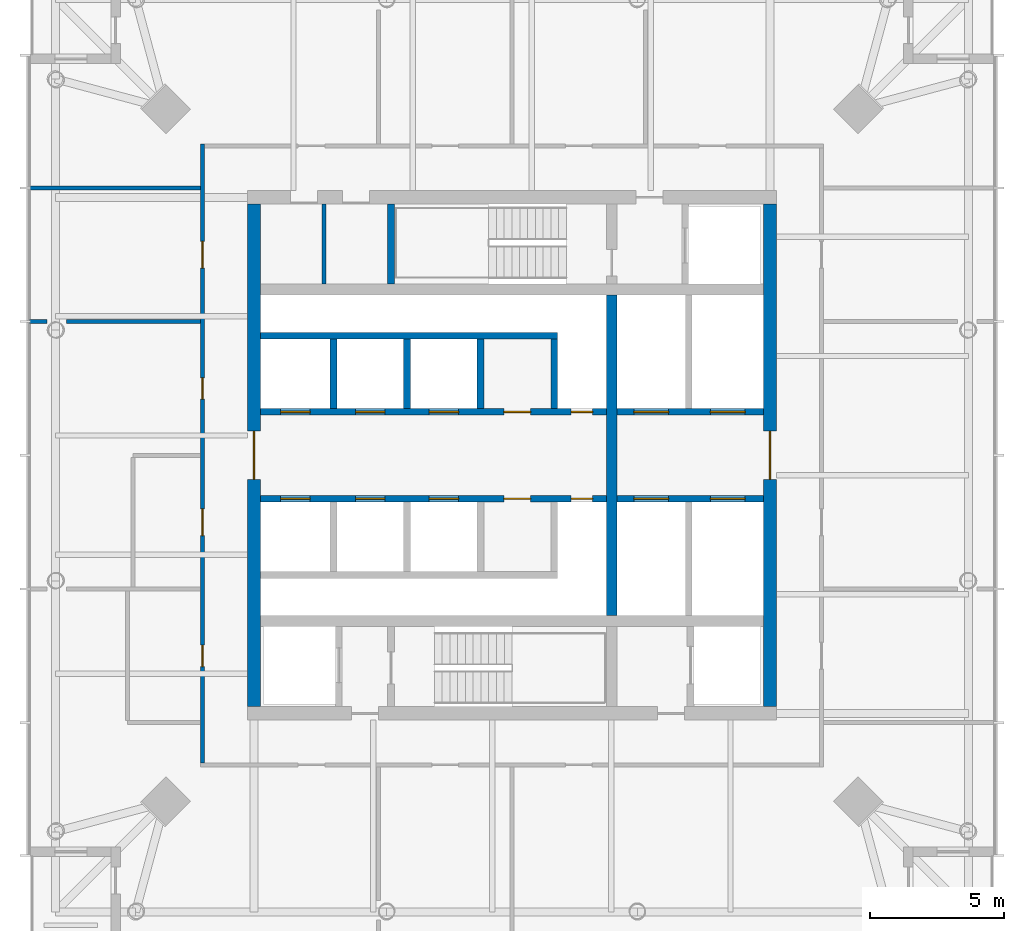
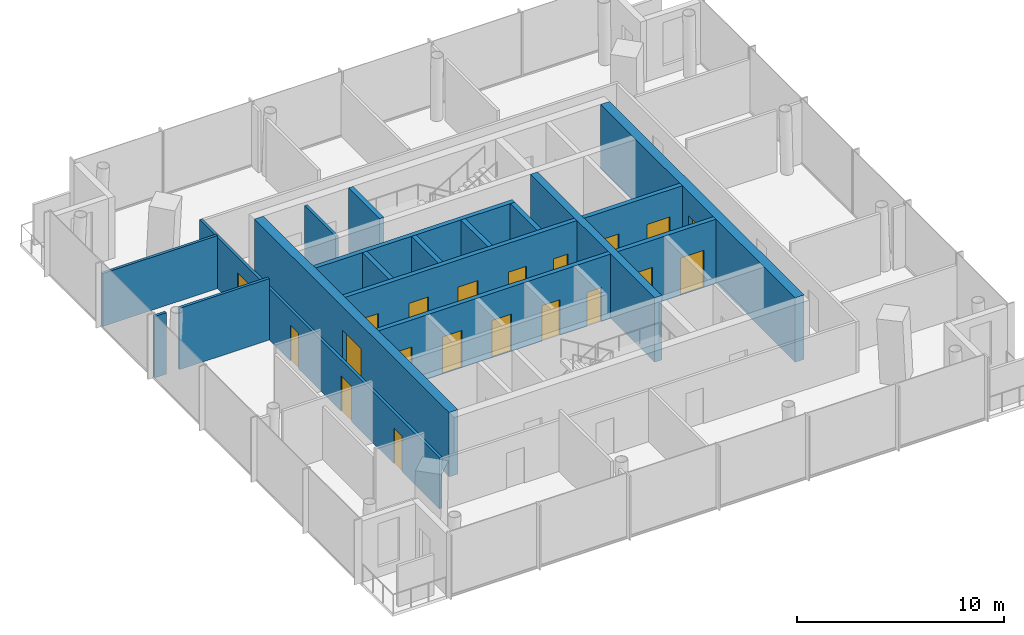
# One storey, part 4 of 7: 20 doors, 18 walls, 20 openings.
"""IFC4 building model written with IfcOpenShell, lengths in metres."""

from ifc_helpers import new_model, si_unit, direction, frame, frame_2d, origin, place, context, subcontext, project, spatial, rectangle, extrude, material, layer, layer_set, type_object, element, fill, save


model = new_model("IFC4")

# Units and contexts
model_context = context("Model", 3, precision=1e-05, world=origin(), true_north=direction((0.0, 1.0)))
body_context = subcontext(model_context, "Body", "Model", "MODEL_VIEW")
ifc_project = project(units=[si_unit("LENGTHUNIT", "METRE"), si_unit("AREAUNIT", "SQUARE_METRE"), si_unit("VOLUMEUNIT", "CUBIC_METRE"), si_unit("PLANEANGLEUNIT", "RADIAN"), si_unit("MASSUNIT", "GRAM", prefix="KILO")], contexts=[model_context])

# Site, building, storey
site_placement = place(None, origin())
site = spatial("IfcSite", under=ifc_project, at=site_placement, CompositionType="ELEMENT")
building_placement = place(site_placement, origin())
building = spatial("IfcBuilding", under=site, at=building_placement, Name="Ostroluk Exchange", CompositionType="ELEMENT")
storey_placement = place(building_placement, frame((0.0, 0.0, 237.60009765625)))
storey = spatial("IfcBuildingStorey", under=building, at=storey_placement, Name="L61", CompositionType="ELEMENT", Elevation=237.60009765625)

# Walls
ifc_material_1 = material(Name="Concrete blockwork", Category="masonry")
ifc_layer_1 = layer(ifc_material_1, 0.14990234375)
ifc_layer_set_1 = layer_set([ifc_layer_1], Name="Blockwork plant room wall 150")
wall_type_1 = type_object("IfcWallType", Name="Blockwork plant room wall 150", PredefinedType="SOLIDWALL", material=ifc_layer_set_1)
wall_1_placement = place(storey_placement, frame((37.97509765625, 52.39990234375, 0.0), z_axis=(0.0, 0.0, 1.0), x_axis=(0.0, 1.0, 0.0)))
element("IfcWall", 1, at=wall_1_placement, inside=storey, type_object=wall_type_1, Name="Core room wall", PredefinedType="SOLIDWALL", context=body_context, shape_type="SweptSolid", body=[
    extrude(rectangle(XDim=3.0, YDim=0.14990234375, at=frame_2d((1.5, 0.0))), origin(), (0.0, 0.0, 1.0), 3.619873046875),
])
ifc_material_2 = material(Name="Concrete C50/60", Category="concrete")
ifc_layer_2 = layer(ifc_material_2, 0.39990234375)
ifc_layer_set_2 = layer_set([ifc_layer_2], Name="Core cross wall 400 C50/60")
wall_type_2 = type_object("IfcWallType", Name="Core cross wall 400 C50/60", PredefinedType="SHEAR", material=ifc_layer_set_2)
wall_2_placement = place(storey_placement, frame((48.72998046875, 40.0, 0.0), z_axis=(0.0, 0.0, 1.0), x_axis=(0.0, 1.0, 0.0)))
element("IfcWall", 2, at=wall_2_placement, inside=storey, type_object=wall_type_2, Name="T1 core wall YE2", PredefinedType="SHEAR", context=body_context, shape_type="SweptSolid", body=[
    extrude(rectangle(XDim=12.0, YDim=0.39990234375, at=frame_2d((6.0, 0.0))), origin(), (0.0, 0.0, 1.0), 3.7998046875),
])
ifc_material_3 = material(Name="Concrete C40/50", Category="concrete")
ifc_layer_3 = layer(ifc_material_3, 0.25)
ifc_layer_set_3 = layer_set([ifc_layer_3], Name="Core shaft wall 250")
wall_type_3 = type_object("IfcWallType", Name="Core shaft wall 250", PredefinedType="SHEAR", material=ifc_layer_set_3)
wall_3_placement = place(storey_placement, frame((40.47509765625, 52.39990234375, 0.0), z_axis=(0.0, 0.0, 1.0), x_axis=(0.0, 1.0, 0.0)))
element("IfcWall", 3, at=wall_3_placement, inside=storey, type_object=wall_type_3, Name="Stair shaft wall", PredefinedType="SHEAR", context=body_context, shape_type="SweptSolid", body=[
    extrude(rectangle(XDim=3.0, YDim=0.25, at=frame_2d((1.5, 0.0))), origin(), (0.0, 0.0, 1.0), 3.7998046875),
])
for number, where, z_axis, x_axis, name in (
    (4, (38.324951171875, 47.75, 0.0), (0.0, 0.0, 1.0), (0.0, 1.0, 0.0), "Lift shaft wall"),
    (5, (41.074951171875, 47.75, 0.0), (0.0, 0.0, 1.0), (0.0, 1.0, 0.0), "Lift shaft wall"),
    (6, (43.824951171875, 47.75, 0.0), (0.0, 0.0, 1.0), (0.0, 1.0, 0.0), "Lift shaft wall"),
    (7, (46.574951171875, 47.75, 0.0), (0.0, 0.0, 1.0), (0.0, 1.0, 0.0), "Lift shaft wall"),
):
    element("IfcWall", number, at=place(storey_placement, frame(where, z_axis=z_axis, x_axis=x_axis)), inside=storey, type_object=wall_type_3, Name=name, PredefinedType="SHEAR", context=body_context, shape_type="SweptSolid", body=[
        extrude(rectangle(XDim=2.60009765625, YDim=0.25, at=frame_2d((1.300048828125, 0.0))), origin(), (0.0, 0.0, 1.0), 3.7998046875),
    ])
wall_4_placement = place(storey_placement, frame((35.60009765625, 50.47509765625, 0.0), z_axis=(0.0, 0.0, 1.0), x_axis=(1.0, 0.0, 0.0)))
element("IfcWall", 8, at=wall_4_placement, inside=storey, type_object=wall_type_3, Name="Lift shaft wall", PredefinedType="SHEAR", context=body_context, shape_type="SweptSolid", body=[
    extrude(rectangle(XDim=11.099853515625, YDim=0.25, at=frame_2d((5.5498046875, 0.0))), origin(), (0.0, 0.0, 1.0), 3.7998046875),
])

# Wall, openings, doors
wall_5_placement = place(storey_placement, frame((35.60009765625, 47.625, 0.0), z_axis=(0.0, 0.0, 1.0), x_axis=(1.0, 0.0, 0.0)))
wall_5 = element("IfcWall", 9, at=wall_5_placement, inside=storey, type_object=wall_type_3, Name="Lift shaft front wall", PredefinedType="SHEAR", context=body_context, shape_type="SweptSolid", body=[
    extrude(rectangle(XDim=12.929931640625, YDim=0.25, at=frame_2d((6.46484375, 0.0))), origin(), (0.0, 0.0, 1.0), 3.7998046875),
])
opening_1_placement = place(wall_5_placement, frame((0.75, 0.0, 0.0)))
opening_1 = element("IfcOpeningElement", 10, at=opening_1_placement, cuts=wall_5, Name="Opening LD", PredefinedType="OPENING", context=body_context, shape_type="SweptSolid", body=[
    extrude(rectangle(XDim=1.10009765625, YDim=2.199951171875, at=frame_2d((0.550048828125, 1.10009765625))), frame((0.0, 0.135009765625, 0.0), z_axis=(0.0, -1.0, 0.0), x_axis=(1.0, 0.0, 0.0)), (0.0, 0.0, 1.0), 0.27001953125),
])
opening_2_placement = place(wall_5_placement, frame((3.550048828125, 0.0, 0.0)))
opening_2 = element("IfcOpeningElement", 11, at=opening_2_placement, cuts=wall_5, Name="Opening LD", PredefinedType="OPENING", context=body_context, shape_type="SweptSolid", body=[
    extrude(rectangle(XDim=1.10009765625, YDim=2.199951171875, at=frame_2d((0.550048828125, 1.10009765625))), frame((0.0, 0.135009765625, 0.0), z_axis=(0.0, -1.0, 0.0), x_axis=(1.0, 0.0, 0.0)), (0.0, 0.0, 1.0), 0.27001953125),
])
opening_3_placement = place(wall_5_placement, frame((6.300048828125, 0.0, 0.0)))
opening_3 = element("IfcOpeningElement", 12, at=opening_3_placement, cuts=wall_5, Name="Opening LD", PredefinedType="OPENING", context=body_context, shape_type="SweptSolid", body=[
    extrude(rectangle(XDim=1.10009765625, YDim=2.199951171875, at=frame_2d((0.550048828125, 1.10009765625))), frame((0.0, 0.135009765625, 0.0), z_axis=(0.0, -1.0, 0.0), x_axis=(1.0, 0.0, 0.0)), (0.0, 0.0, 1.0), 0.27001953125),
])
opening_4_placement = place(wall_5_placement, frame((9.10009765625, 0.0, 0.0)))
opening_4 = element("IfcOpeningElement", 13, at=opening_4_placement, cuts=wall_5, Name="Opening FD60", PredefinedType="OPENING", context=body_context, shape_type="SweptSolid", body=[
    extrude(rectangle(XDim=1.0, YDim=2.10009765625, at=frame_2d((0.5, 1.050048828125))), frame((0.0, 0.135009765625, 0.0), z_axis=(0.0, -1.0, 0.0), x_axis=(1.0, 0.0, 0.0)), (0.0, 0.0, 1.0), 0.27001953125),
])
opening_5_placement = place(wall_5_placement, frame((11.614990234375, 0.0, 0.0)))
opening_5 = element("IfcOpeningElement", 14, at=opening_5_placement, cuts=wall_5, Name="Opening RD60", PredefinedType="OPENING", context=body_context, shape_type="SweptSolid", body=[
    extrude(rectangle(XDim=0.800048828125, YDim=2.0, at=frame_2d((0.39990234375, 1.0))), frame((0.0, 0.135009765625, 0.0), z_axis=(0.0, -1.0, 0.0), x_axis=(1.0, 0.0, 0.0)), (0.0, 0.0, 1.0), 0.27001953125),
])
ifc_material_4 = material(Name="Steel", Category="steel")
door_type_1 = type_object("IfcDoorType", Name="Fire door EI 60 1000 x 2100", OperationType="SINGLE_SWING_LEFT", PredefinedType="DOOR", material=ifc_material_4)
door_1_placement = place(opening_4_placement, origin())
door_1 = element("IfcDoor", 15, at=door_1_placement, inside=storey, type_object=door_type_1, Name="Core room door", OperationType="SINGLE_SWING_RIGHT", OverallHeight=2.10009765625, OverallWidth=1.0, PredefinedType="DOOR", context=body_context, shape_type="SweptSolid", body=[
    extrude(rectangle(XDim=1.0, YDim=2.10009765625, at=frame_2d((0.5, 1.050048828125))), frame((0.0, 0.02490234375, 0.0), z_axis=(0.0, -1.0, 0.0), x_axis=(1.0, 0.0, 0.0)), (0.0, 0.0, 1.0), 0.050048828125),
])
fill(opening_4, door_1)
ifc_material_5 = material(Name="Stainless steel", Category="steel")
door_type_2 = type_object("IfcDoorType", Name="Lift landing door E 60 1100 x 2200", OperationType="DOUBLE_DOOR_SLIDING", PredefinedType="DOOR", material=ifc_material_5)
door_2_placement = place(opening_1_placement, origin())
door_2 = element("IfcDoor", 16, at=door_2_placement, inside=storey, type_object=door_type_2, Name="Lift PL-T1 landing door", OperationType="DOUBLE_DOOR_SLIDING", OverallHeight=2.199951171875, OverallWidth=1.10009765625, PredefinedType="DOOR", context=body_context, shape_type="SweptSolid", body=[
    extrude(rectangle(XDim=1.10009765625, YDim=2.199951171875, at=frame_2d((0.550048828125, 1.10009765625))), frame((0.0, 0.02490234375, 0.0), z_axis=(0.0, -1.0, 0.0), x_axis=(1.0, 0.0, 0.0)), (0.0, 0.0, 1.0), 0.050048828125),
])
fill(opening_1, door_2)
door_3_placement = place(opening_2_placement, origin())
door_3 = element("IfcDoor", 17, at=door_3_placement, inside=storey, type_object=door_type_2, Name="Lift PL-T2 landing door", OperationType="DOUBLE_DOOR_SLIDING", OverallHeight=2.199951171875, OverallWidth=1.10009765625, PredefinedType="DOOR", context=body_context, shape_type="SweptSolid", body=[
    extrude(rectangle(XDim=1.10009765625, YDim=2.199951171875, at=frame_2d((0.550048828125, 1.10009765625))), frame((0.0, 0.02490234375, 0.0), z_axis=(0.0, -1.0, 0.0), x_axis=(1.0, 0.0, 0.0)), (0.0, 0.0, 1.0), 0.050048828125),
])
fill(opening_2, door_3)
door_4_placement = place(opening_3_placement, origin())
door_4 = element("IfcDoor", 18, at=door_4_placement, inside=storey, type_object=door_type_2, Name="Lift PL-T3 landing door", OperationType="DOUBLE_DOOR_SLIDING", OverallHeight=2.199951171875, OverallWidth=1.10009765625, PredefinedType="DOOR", context=body_context, shape_type="SweptSolid", body=[
    extrude(rectangle(XDim=1.10009765625, YDim=2.199951171875, at=frame_2d((0.550048828125, 1.10009765625))), frame((0.0, 0.02490234375, 0.0), z_axis=(0.0, -1.0, 0.0), x_axis=(1.0, 0.0, 0.0)), (0.0, 0.0, 1.0), 0.050048828125),
])
fill(opening_3, door_4)
ifc_material_6 = material(Name="Steel", Category="steel")
door_type_3 = type_object("IfcDoorType", Name="Riser access door EI 60 800 x 2000", OperationType="SINGLE_SWING_LEFT", PredefinedType="DOOR", material=ifc_material_6)
door_5_placement = place(opening_5_placement, origin())
door_5 = element("IfcDoor", 19, at=door_5_placement, inside=storey, type_object=door_type_3, Name="Riser access door", OperationType="SINGLE_SWING_RIGHT", OverallHeight=2.0, OverallWidth=0.800048828125, PredefinedType="DOOR", context=body_context, shape_type="SweptSolid", body=[
    extrude(rectangle(XDim=0.800048828125, YDim=2.0, at=frame_2d((0.39990234375, 1.0))), frame((0.0, 0.02490234375, 0.0), z_axis=(0.0, -1.0, 0.0), x_axis=(1.0, 0.0, 0.0)), (0.0, 0.0, 1.0), 0.050048828125),
])
fill(opening_5, door_5)

wall_6_placement = place(storey_placement, frame((35.60009765625, 44.375, 0.0), z_axis=(0.0, 0.0, 1.0), x_axis=(1.0, 0.0, 0.0)))
wall_6 = element("IfcWall", 20, at=wall_6_placement, inside=storey, type_object=wall_type_3, Name="Lift shaft front wall", PredefinedType="SHEAR", context=body_context, shape_type="SweptSolid", body=[
    extrude(rectangle(XDim=12.929931640625, YDim=0.25, at=frame_2d((6.46484375, 0.0))), origin(), (0.0, 0.0, 1.0), 3.7998046875),
])
opening_6_placement = place(wall_6_placement, frame((0.75, 0.0, 0.0)))
opening_6 = element("IfcOpeningElement", 21, at=opening_6_placement, cuts=wall_6, Name="Opening LD", PredefinedType="OPENING", context=body_context, shape_type="SweptSolid", body=[
    extrude(rectangle(XDim=1.10009765625, YDim=2.199951171875, at=frame_2d((0.550048828125, 1.10009765625))), frame((0.0, 0.135009765625, 0.0), z_axis=(0.0, -1.0, 0.0), x_axis=(1.0, 0.0, 0.0)), (0.0, 0.0, 1.0), 0.27001953125),
])
opening_7_placement = place(wall_6_placement, frame((3.550048828125, 0.0, 0.0)))
opening_7 = element("IfcOpeningElement", 22, at=opening_7_placement, cuts=wall_6, Name="Opening LD", PredefinedType="OPENING", context=body_context, shape_type="SweptSolid", body=[
    extrude(rectangle(XDim=1.10009765625, YDim=2.199951171875, at=frame_2d((0.550048828125, 1.10009765625))), frame((0.0, 0.135009765625, 0.0), z_axis=(0.0, -1.0, 0.0), x_axis=(1.0, 0.0, 0.0)), (0.0, 0.0, 1.0), 0.27001953125),
])
opening_8_placement = place(wall_6_placement, frame((6.300048828125, 0.0, 0.0)))
opening_8 = element("IfcOpeningElement", 23, at=opening_8_placement, cuts=wall_6, Name="Opening LD", PredefinedType="OPENING", context=body_context, shape_type="SweptSolid", body=[
    extrude(rectangle(XDim=1.10009765625, YDim=2.199951171875, at=frame_2d((0.550048828125, 1.10009765625))), frame((0.0, 0.135009765625, 0.0), z_axis=(0.0, -1.0, 0.0), x_axis=(1.0, 0.0, 0.0)), (0.0, 0.0, 1.0), 0.27001953125),
])
opening_9_placement = place(wall_6_placement, frame((9.10009765625, 0.0, 0.0)))
opening_9 = element("IfcOpeningElement", 24, at=opening_9_placement, cuts=wall_6, Name="Opening FD60", PredefinedType="OPENING", context=body_context, shape_type="SweptSolid", body=[
    extrude(rectangle(XDim=1.0, YDim=2.10009765625, at=frame_2d((0.5, 1.050048828125))), frame((0.0, 0.135009765625, 0.0), z_axis=(0.0, -1.0, 0.0), x_axis=(1.0, 0.0, 0.0)), (0.0, 0.0, 1.0), 0.27001953125),
])
opening_10_placement = place(wall_6_placement, frame((11.614990234375, 0.0, 0.0)))
opening_10 = element("IfcOpeningElement", 25, at=opening_10_placement, cuts=wall_6, Name="Opening RD60", PredefinedType="OPENING", context=body_context, shape_type="SweptSolid", body=[
    extrude(rectangle(XDim=0.800048828125, YDim=2.0, at=frame_2d((0.39990234375, 1.0))), frame((0.0, 0.135009765625, 0.0), z_axis=(0.0, -1.0, 0.0), x_axis=(1.0, 0.0, 0.0)), (0.0, 0.0, 1.0), 0.27001953125),
])
door_6_placement = place(opening_9_placement, origin())
door_6 = element("IfcDoor", 26, at=door_6_placement, inside=storey, type_object=door_type_1, Name="Core room door", OperationType="SINGLE_SWING_RIGHT", OverallHeight=2.10009765625, OverallWidth=1.0, PredefinedType="DOOR", context=body_context, shape_type="SweptSolid", body=[
    extrude(rectangle(XDim=1.0, YDim=2.10009765625, at=frame_2d((0.5, 1.050048828125))), frame((0.0, 0.02490234375, 0.0), z_axis=(0.0, -1.0, 0.0), x_axis=(1.0, 0.0, 0.0)), (0.0, 0.0, 1.0), 0.050048828125),
])
fill(opening_9, door_6)
door_7_placement = place(opening_6_placement, origin())
door_7 = element("IfcDoor", 27, at=door_7_placement, inside=storey, type_object=door_type_2, Name="Lift PL-T4 landing door", OperationType="DOUBLE_DOOR_SLIDING", OverallHeight=2.199951171875, OverallWidth=1.10009765625, PredefinedType="DOOR", context=body_context, shape_type="SweptSolid", body=[
    extrude(rectangle(XDim=1.10009765625, YDim=2.199951171875, at=frame_2d((0.550048828125, 1.10009765625))), frame((0.0, 0.02490234375, 0.0), z_axis=(0.0, -1.0, 0.0), x_axis=(1.0, 0.0, 0.0)), (0.0, 0.0, 1.0), 0.050048828125),
])
fill(opening_6, door_7)
door_8_placement = place(opening_7_placement, origin())
door_8 = element("IfcDoor", 28, at=door_8_placement, inside=storey, type_object=door_type_2, Name="Lift PL-T5 landing door", OperationType="DOUBLE_DOOR_SLIDING", OverallHeight=2.199951171875, OverallWidth=1.10009765625, PredefinedType="DOOR", context=body_context, shape_type="SweptSolid", body=[
    extrude(rectangle(XDim=1.10009765625, YDim=2.199951171875, at=frame_2d((0.550048828125, 1.10009765625))), frame((0.0, 0.02490234375, 0.0), z_axis=(0.0, -1.0, 0.0), x_axis=(1.0, 0.0, 0.0)), (0.0, 0.0, 1.0), 0.050048828125),
])
fill(opening_7, door_8)
door_9_placement = place(opening_8_placement, origin())
door_9 = element("IfcDoor", 29, at=door_9_placement, inside=storey, type_object=door_type_2, Name="Lift PL-T6 landing door", OperationType="DOUBLE_DOOR_SLIDING", OverallHeight=2.199951171875, OverallWidth=1.10009765625, PredefinedType="DOOR", context=body_context, shape_type="SweptSolid", body=[
    extrude(rectangle(XDim=1.10009765625, YDim=2.199951171875, at=frame_2d((0.550048828125, 1.10009765625))), frame((0.0, 0.02490234375, 0.0), z_axis=(0.0, -1.0, 0.0), x_axis=(1.0, 0.0, 0.0)), (0.0, 0.0, 1.0), 0.050048828125),
])
fill(opening_8, door_9)
door_10_placement = place(opening_10_placement, origin())
door_10 = element("IfcDoor", 30, at=door_10_placement, inside=storey, type_object=door_type_3, Name="Riser access door", OperationType="SINGLE_SWING_RIGHT", OverallHeight=2.0, OverallWidth=0.800048828125, PredefinedType="DOOR", context=body_context, shape_type="SweptSolid", body=[
    extrude(rectangle(XDim=0.800048828125, YDim=2.0, at=frame_2d((0.39990234375, 1.0))), frame((0.0, 0.02490234375, 0.0), z_axis=(0.0, -1.0, 0.0), x_axis=(1.0, 0.0, 0.0)), (0.0, 0.0, 1.0), 0.050048828125),
])
fill(opening_10, door_10)

wall_7_placement = place(storey_placement, frame((48.929931640625, 47.625, 0.0), z_axis=(0.0, 0.0, 1.0), x_axis=(1.0, 0.0, 0.0)))
wall_7 = element("IfcWall", 31, at=wall_7_placement, inside=storey, type_object=wall_type_3, Name="Lift shaft front wall", PredefinedType="SHEAR", context=body_context, shape_type="SweptSolid", body=[
    extrude(rectangle(XDim=5.469970703125, YDim=0.25, at=frame_2d((2.73486328125, 0.0))), origin(), (0.0, 0.0, 1.0), 3.7998046875),
])
opening_11_placement = place(wall_7_placement, frame((0.6298828125, 0.0, 0.0)))
opening_11 = element("IfcOpeningElement", 32, at=opening_11_placement, cuts=wall_7, Name="Opening LD2", PredefinedType="OPENING", context=body_context, shape_type="SweptSolid", body=[
    extrude(rectangle(XDim=1.300048828125, YDim=2.199951171875, at=frame_2d((0.64990234375, 1.10009765625))), frame((0.0, 0.135009765625, 0.0), z_axis=(0.0, -1.0, 0.0), x_axis=(1.0, 0.0, 0.0)), (0.0, 0.0, 1.0), 0.27001953125),
])
opening_12_placement = place(wall_7_placement, frame((3.489990234375, 0.0, 0.0)))
opening_12 = element("IfcOpeningElement", 33, at=opening_12_placement, cuts=wall_7, Name="Opening LD2", PredefinedType="OPENING", context=body_context, shape_type="SweptSolid", body=[
    extrude(rectangle(XDim=1.300048828125, YDim=2.199951171875, at=frame_2d((0.64990234375, 1.10009765625))), frame((0.0, 0.135009765625, 0.0), z_axis=(0.0, -1.0, 0.0), x_axis=(1.0, 0.0, 0.0)), (0.0, 0.0, 1.0), 0.27001953125),
])
ifc_material_7 = material(Name="Stainless steel", Category="steel")
door_type_4 = type_object("IfcDoorType", Name="Lift landing door E 60 1300 x 2200", OperationType="DOUBLE_DOOR_SLIDING", PredefinedType="DOOR", material=ifc_material_7)
door_11_placement = place(opening_11_placement, origin())
door_11 = element("IfcDoor", 34, at=door_11_placement, inside=storey, type_object=door_type_4, Name="Lift SX1 landing door", OperationType="DOUBLE_DOOR_SLIDING", OverallHeight=2.199951171875, OverallWidth=1.300048828125, PredefinedType="DOOR", context=body_context, shape_type="SweptSolid", body=[
    extrude(rectangle(XDim=1.300048828125, YDim=2.199951171875, at=frame_2d((0.64990234375, 1.10009765625))), frame((0.0, 0.02490234375, 0.0), z_axis=(0.0, -1.0, 0.0), x_axis=(1.0, 0.0, 0.0)), (0.0, 0.0, 1.0), 0.050048828125),
])
fill(opening_11, door_11)
door_12_placement = place(opening_12_placement, origin())
door_12 = element("IfcDoor", 35, at=door_12_placement, inside=storey, type_object=door_type_4, Name="Lift SX2 landing door", OperationType="DOUBLE_DOOR_SLIDING", OverallHeight=2.199951171875, OverallWidth=1.300048828125, PredefinedType="DOOR", context=body_context, shape_type="SweptSolid", body=[
    extrude(rectangle(XDim=1.300048828125, YDim=2.199951171875, at=frame_2d((0.64990234375, 1.10009765625))), frame((0.0, 0.02490234375, 0.0), z_axis=(0.0, -1.0, 0.0), x_axis=(1.0, 0.0, 0.0)), (0.0, 0.0, 1.0), 0.050048828125),
])
fill(opening_12, door_12)

wall_8_placement = place(storey_placement, frame((48.929931640625, 44.375, 0.0), z_axis=(0.0, 0.0, 1.0), x_axis=(1.0, 0.0, 0.0)))
wall_8 = element("IfcWall", 36, at=wall_8_placement, inside=storey, type_object=wall_type_3, Name="Lift shaft front wall", PredefinedType="SHEAR", context=body_context, shape_type="SweptSolid", body=[
    extrude(rectangle(XDim=5.469970703125, YDim=0.25, at=frame_2d((2.73486328125, 0.0))), origin(), (0.0, 0.0, 1.0), 3.7998046875),
])
opening_13_placement = place(wall_8_placement, frame((0.6298828125, 0.0, 0.0)))
opening_13 = element("IfcOpeningElement", 37, at=opening_13_placement, cuts=wall_8, Name="Opening LD2", PredefinedType="OPENING", context=body_context, shape_type="SweptSolid", body=[
    extrude(rectangle(XDim=1.300048828125, YDim=2.199951171875, at=frame_2d((0.64990234375, 1.10009765625))), frame((0.0, 0.135009765625, 0.0), z_axis=(0.0, -1.0, 0.0), x_axis=(1.0, 0.0, 0.0)), (0.0, 0.0, 1.0), 0.27001953125),
])
opening_14_placement = place(wall_8_placement, frame((3.489990234375, 0.0, 0.0)))
opening_14 = element("IfcOpeningElement", 38, at=opening_14_placement, cuts=wall_8, Name="Opening LD2", PredefinedType="OPENING", context=body_context, shape_type="SweptSolid", body=[
    extrude(rectangle(XDim=1.300048828125, YDim=2.199951171875, at=frame_2d((0.64990234375, 1.10009765625))), frame((0.0, 0.135009765625, 0.0), z_axis=(0.0, -1.0, 0.0), x_axis=(1.0, 0.0, 0.0)), (0.0, 0.0, 1.0), 0.27001953125),
])
door_13_placement = place(opening_13_placement, origin())
door_13 = element("IfcDoor", 39, at=door_13_placement, inside=storey, type_object=door_type_4, Name="Lift SX3 landing door", OperationType="DOUBLE_DOOR_SLIDING", OverallHeight=2.199951171875, OverallWidth=1.300048828125, PredefinedType="DOOR", context=body_context, shape_type="SweptSolid", body=[
    extrude(rectangle(XDim=1.300048828125, YDim=2.199951171875, at=frame_2d((0.64990234375, 1.10009765625))), frame((0.0, 0.02490234375, 0.0), z_axis=(0.0, -1.0, 0.0), x_axis=(1.0, 0.0, 0.0)), (0.0, 0.0, 1.0), 0.050048828125),
])
fill(opening_13, door_13)
door_14_placement = place(opening_14_placement, origin())
door_14 = element("IfcDoor", 40, at=door_14_placement, inside=storey, type_object=door_type_4, Name="Lift SX4 landing door", OperationType="DOUBLE_DOOR_SLIDING", OverallHeight=2.199951171875, OverallWidth=1.300048828125, PredefinedType="DOOR", context=body_context, shape_type="SweptSolid", body=[
    extrude(rectangle(XDim=1.300048828125, YDim=2.199951171875, at=frame_2d((0.64990234375, 1.10009765625))), frame((0.0, 0.02490234375, 0.0), z_axis=(0.0, -1.0, 0.0), x_axis=(1.0, 0.0, 0.0)), (0.0, 0.0, 1.0), 0.050048828125),
])
fill(opening_14, door_14)

# Wall, opening, door
ifc_material_8 = material(Name="Concrete C50/60", Category="concrete")
ifc_layer_4 = layer(ifc_material_8, 0.5)
ifc_layer_set_4 = layer_set([ifc_layer_4], Name="Core wall 500 C50/60")
wall_type_4 = type_object("IfcWallType", Name="Core wall 500 C50/60", PredefinedType="SHEAR", material=ifc_layer_set_4)
wall_9_placement = place(storey_placement, frame((35.35009765625, 36.60009765625, 0.0), z_axis=(0.0, 0.0, 1.0), x_axis=(0.0, 1.0, 0.0)))
wall_9 = element("IfcWall", 41, at=wall_9_placement, inside=storey, type_object=wall_type_4, Name="T1 core wall W", PredefinedType="SHEAR", context=body_context, shape_type="SweptSolid", body=[
    extrude(rectangle(XDim=18.7998046875, YDim=0.5, at=frame_2d((9.39990234375, 0.0))), origin(), (0.0, 0.0, 1.0), 3.7998046875),
])
opening_15_placement = place(wall_9_placement, frame((8.5, 0.0, 0.0)))
opening_15 = element("IfcOpeningElement", 42, at=opening_15_placement, cuts=wall_9, Name="Opening FD30D", PredefinedType="OPENING", context=body_context, shape_type="SweptSolid", body=[
    extrude(rectangle(XDim=1.800048828125, YDim=2.39990234375, at=frame_2d((0.89990234375, 1.199951171875))), frame((0.0, 0.260009765625, 0.0), z_axis=(0.0, -1.0, 0.0), x_axis=(1.0, 0.0, 0.0)), (0.0, 0.0, 1.0), 0.52001953125),
])
ifc_material_9 = material(Name="Timber", Category="wood")
door_type_5 = type_object("IfcDoorType", Name="Lobby double door EI 30 1800 x 2400", OperationType="DOUBLE_DOOR_SINGLE_SWING", PredefinedType="DOOR", material=ifc_material_9)
door_15_placement = place(opening_15_placement, origin())
door_15 = element("IfcDoor", 43, at=door_15_placement, inside=storey, type_object=door_type_5, Name="Lift lobby doors", OperationType="DOUBLE_DOOR_SINGLE_SWING", OverallHeight=2.39990234375, OverallWidth=1.800048828125, PredefinedType="DOOR", context=body_context, shape_type="SweptSolid", body=[
    extrude(rectangle(XDim=1.800048828125, YDim=2.39990234375, at=frame_2d((0.89990234375, 1.199951171875))), frame((0.0, 0.02490234375, 0.0), z_axis=(0.0, -1.0, 0.0), x_axis=(1.0, 0.0, 0.0)), (0.0, 0.0, 1.0), 0.050048828125),
])
fill(opening_15, door_15)

wall_10_placement = place(storey_placement, frame((54.64990234375, 36.60009765625, 0.0), z_axis=(0.0, 0.0, 1.0), x_axis=(0.0, 1.0, 0.0)))
wall_10 = element("IfcWall", 44, at=wall_10_placement, inside=storey, type_object=wall_type_4, Name="T1 core wall E", PredefinedType="SHEAR", context=body_context, shape_type="SweptSolid", body=[
    extrude(rectangle(XDim=18.7998046875, YDim=0.5, at=frame_2d((9.39990234375, 0.0))), origin(), (0.0, 0.0, 1.0), 3.7998046875),
])
opening_16_placement = place(wall_10_placement, frame((8.5, 0.0, 0.0)))
opening_16 = element("IfcOpeningElement", 45, at=opening_16_placement, cuts=wall_10, Name="Opening FD30D", PredefinedType="OPENING", context=body_context, shape_type="SweptSolid", body=[
    extrude(rectangle(XDim=1.800048828125, YDim=2.39990234375, at=frame_2d((0.89990234375, 1.199951171875))), frame((0.0, 0.260009765625, 0.0), z_axis=(0.0, -1.0, 0.0), x_axis=(1.0, 0.0, 0.0)), (0.0, 0.0, 1.0), 0.52001953125),
])
door_16_placement = place(opening_16_placement, origin())
door_16 = element("IfcDoor", 46, at=door_16_placement, inside=storey, type_object=door_type_5, Name="Lift lobby doors", OperationType="DOUBLE_DOOR_SINGLE_SWING", OverallHeight=2.39990234375, OverallWidth=1.800048828125, PredefinedType="DOOR", context=body_context, shape_type="SweptSolid", body=[
    extrude(rectangle(XDim=1.800048828125, YDim=2.39990234375, at=frame_2d((0.89990234375, 1.199951171875))), frame((0.0, 0.02490234375, 0.0), z_axis=(0.0, -1.0, 0.0), x_axis=(1.0, 0.0, 0.0)), (0.0, 0.0, 1.0), 0.050048828125),
])
fill(opening_16, door_16)

# Wall, openings, doors
ifc_material_10 = material(Name="Gypsum plasterboard partition", Category="gypsum")
ifc_layer_5 = layer(ifc_material_10, 0.14990234375)
ifc_layer_set_5 = layer_set([ifc_layer_5], Name="Plasterboard partition 150")
wall_type_5 = type_object("IfcWallType", Name="Plasterboard partition 150", PredefinedType="PARTITIONING", material=ifc_layer_set_5)
wall_11_placement = place(storey_placement, frame((33.425048828125, 57.64990234375, 0.0), z_axis=(0.0, 0.0, 1.0), x_axis=(0.0, -1.0, 0.0)))
wall_11 = element("IfcWall", 47, at=wall_11_placement, inside=storey, type_object=wall_type_5, Name="Partition", PredefinedType="PARTITIONING", context=body_context, shape_type="SweptSolid", body=[
    extrude(rectangle(XDim=23.14990234375, YDim=0.14990234375, at=frame_2d((11.574951171875, 0.0))), origin(), (0.0, 0.0, 1.0), 3.02001953125),
])
opening_17_placement = place(wall_11_placement, frame((3.64990234375, 0.0, 0.0)))
opening_17 = element("IfcOpeningElement", 48, at=opening_17_placement, cuts=wall_11, Name="Opening D-03", PredefinedType="OPENING", context=body_context, shape_type="SweptSolid", body=[
    extrude(rectangle(XDim=1.0, YDim=2.10009765625, at=frame_2d((0.5, 1.050048828125))), frame((0.0, 0.0849609375, 0.0), z_axis=(0.0, -1.0, 0.0), x_axis=(1.0, 0.0, 0.0)), (0.0, 0.0, 1.0), 0.169921875),
])
opening_18_placement = place(wall_11_placement, frame((8.75, 0.0, 0.0)))
opening_18 = element("IfcOpeningElement", 49, at=opening_18_placement, cuts=wall_11, Name="Opening D-06", PredefinedType="OPENING", context=body_context, shape_type="SweptSolid", body=[
    extrude(rectangle(XDim=0.800048828125, YDim=2.10009765625, at=frame_2d((0.39990234375, 1.050048828125))), frame((0.0, 0.0849609375, 0.0), z_axis=(0.0, -1.0, 0.0), x_axis=(1.0, 0.0, 0.0)), (0.0, 0.0, 1.0), 0.169921875),
])
opening_19_placement = place(wall_11_placement, frame((13.64990234375, 0.0, 0.0)))
opening_19 = element("IfcOpeningElement", 50, at=opening_19_placement, cuts=wall_11, Name="Opening D-03", PredefinedType="OPENING", context=body_context, shape_type="SweptSolid", body=[
    extrude(rectangle(XDim=1.0, YDim=2.10009765625, at=frame_2d((0.5, 1.050048828125))), frame((0.0, 0.0849609375, 0.0), z_axis=(0.0, -1.0, 0.0), x_axis=(1.0, 0.0, 0.0)), (0.0, 0.0, 1.0), 0.169921875),
])
opening_20_placement = place(wall_11_placement, frame((18.75, 0.0, 0.0)))
opening_20 = element("IfcOpeningElement", 51, at=opening_20_placement, cuts=wall_11, Name="Opening D-06", PredefinedType="OPENING", context=body_context, shape_type="SweptSolid", body=[
    extrude(rectangle(XDim=0.800048828125, YDim=2.10009765625, at=frame_2d((0.39990234375, 1.050048828125))), frame((0.0, 0.0849609375, 0.0), z_axis=(0.0, -1.0, 0.0), x_axis=(1.0, 0.0, 0.0)), (0.0, 0.0, 1.0), 0.169921875),
])
ifc_material_11 = material(Name="Timber", Category="wood")
door_type_6 = type_object("IfcDoorType", Name="Internal door 1000 x 2100", OperationType="SINGLE_SWING_LEFT", PredefinedType="DOOR", material=ifc_material_11)
door_17_placement = place(opening_17_placement, origin())
door_17 = element("IfcDoor", 52, at=door_17_placement, inside=storey, type_object=door_type_6, Name="Office door", OperationType="SINGLE_SWING_LEFT", OverallHeight=2.10009765625, OverallWidth=1.0, PredefinedType="DOOR", context=body_context, shape_type="SweptSolid", body=[
    extrude(rectangle(XDim=1.0, YDim=2.10009765625, at=frame_2d((0.5, 1.050048828125))), frame((0.0, 0.02490234375, 0.0), z_axis=(0.0, -1.0, 0.0), x_axis=(1.0, 0.0, 0.0)), (0.0, 0.0, 1.0), 0.050048828125),
])
fill(opening_17, door_17)
door_18_placement = place(opening_19_placement, origin())
door_18 = element("IfcDoor", 53, at=door_18_placement, inside=storey, type_object=door_type_6, Name="Accessible WC door", OperationType="SINGLE_SWING_RIGHT", OverallHeight=2.10009765625, OverallWidth=1.0, PredefinedType="DOOR", context=body_context, shape_type="SweptSolid", body=[
    extrude(rectangle(XDim=1.0, YDim=2.10009765625, at=frame_2d((0.5, 1.050048828125))), frame((0.0, 0.02490234375, 0.0), z_axis=(0.0, -1.0, 0.0), x_axis=(1.0, 0.0, 0.0)), (0.0, 0.0, 1.0), 0.050048828125),
])
fill(opening_19, door_18)
ifc_material_12 = material(Name="Timber", Category="wood")
door_type_7 = type_object("IfcDoorType", Name="Toilet door 800 x 2100", OperationType="SINGLE_SWING_LEFT", PredefinedType="DOOR", material=ifc_material_12)
door_19_placement = place(opening_18_placement, origin())
door_19 = element("IfcDoor", 54, at=door_19_placement, inside=storey, type_object=door_type_7, Name="WC female door", OperationType="SINGLE_SWING_LEFT", OverallHeight=2.10009765625, OverallWidth=0.800048828125, PredefinedType="DOOR", context=body_context, shape_type="SweptSolid", body=[
    extrude(rectangle(XDim=0.800048828125, YDim=2.10009765625, at=frame_2d((0.39990234375, 1.050048828125))), frame((0.0, 0.02490234375, 0.0), z_axis=(0.0, -1.0, 0.0), x_axis=(1.0, 0.0, 0.0)), (0.0, 0.0, 1.0), 0.050048828125),
])
fill(opening_18, door_19)
door_20_placement = place(opening_20_placement, origin())
door_20 = element("IfcDoor", 55, at=door_20_placement, inside=storey, type_object=door_type_7, Name="WC male door", OperationType="SINGLE_SWING_RIGHT", OverallHeight=2.10009765625, OverallWidth=0.800048828125, PredefinedType="DOOR", context=body_context, shape_type="SweptSolid", body=[
    extrude(rectangle(XDim=0.800048828125, YDim=2.10009765625, at=frame_2d((0.39990234375, 1.050048828125))), frame((0.0, 0.02490234375, 0.0), z_axis=(0.0, -1.0, 0.0), x_axis=(1.0, 0.0, 0.0)), (0.0, 0.0, 1.0), 0.050048828125),
])
fill(opening_20, door_20)

# Walls
wall_12_placement = place(storey_placement, frame((33.35009765625, 56.0, 0.0), z_axis=(0.0, 0.0, 1.0), x_axis=(-1.0, 0.0, 0.0)))
element("IfcWall", 56, at=wall_12_placement, inside=storey, type_object=wall_type_5, Name="Partition", PredefinedType="PARTITIONING", context=body_context, shape_type="SweptSolid", body=[
    extrude(rectangle(XDim=6.39013671875, YDim=0.14990234375, at=frame_2d((3.195068359375, 0.0))), origin(), (0.0, 0.0, 1.0), 3.119873046875),
])
wall_13_placement = place(storey_placement, frame((33.35009765625, 51.0, 0.0), z_axis=(0.0, 0.0, 1.0), x_axis=(-1.0, 0.0, 0.0)))
element("IfcWall", 57, at=wall_13_placement, inside=storey, type_object=wall_type_5, Name="Partition", PredefinedType="PARTITIONING", context=body_context, shape_type="SweptSolid", body=[
    extrude(rectangle(XDim=5.002197265625, YDim=0.14990234375, at=frame_2d((2.5009765625, 0.0))), origin(), (0.0, 0.0, 1.0), 3.619873046875),
])
wall_14_placement = place(storey_placement, frame((27.616455078125, 51.0, 0.0), z_axis=(0.0, 0.0, 1.0), x_axis=(-1.0, 0.0, 0.0)))
element("IfcWall", 58, at=wall_14_placement, inside=storey, type_object=wall_type_5, Name="Partition", PredefinedType="PARTITIONING", context=body_context, shape_type="SweptSolid", body=[
    extrude(rectangle(XDim=0.656494140625, YDim=0.14990234375, at=frame_2d((0.328125, 0.0))), origin(), (0.0, 0.0, 1.0), 3.619873046875),
])

save(model, "model.ifc")
